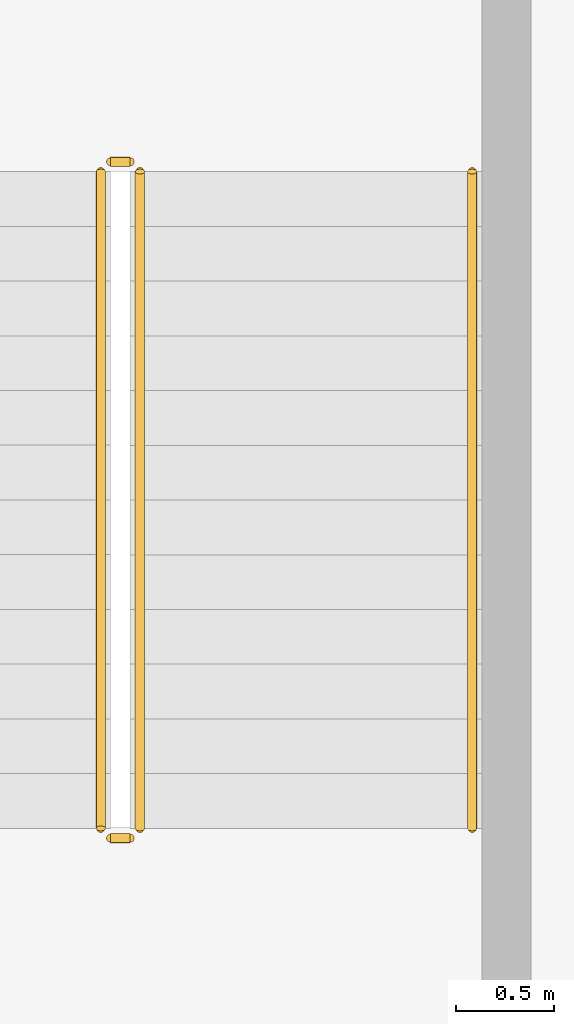
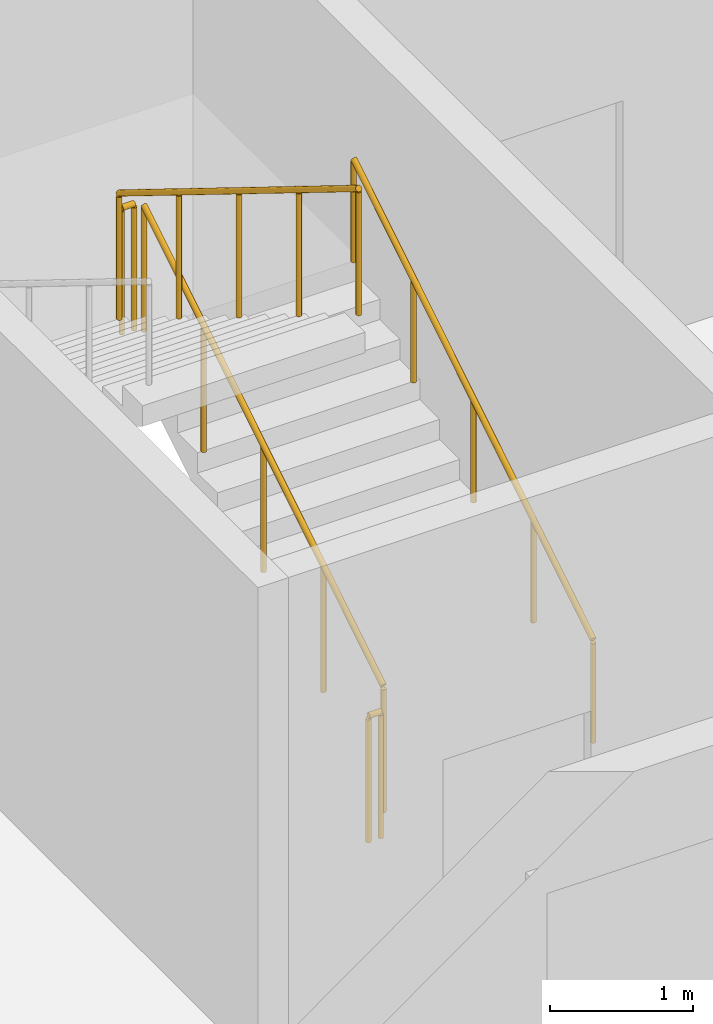
# One storey, part 36 of 38: 5 railings.
"""IFC4 building model written with IfcOpenShell, lengths in metres."""

from ifc_helpers import new_model, si_unit, direction, frame, origin, origin_2d, place, context, subcontext, project, spatial, circle, extrude, material, type_object, element, save


model = new_model("IFC4")

# Units and contexts
model_context = context("Model", 3, precision=1e-05, world=origin(), true_north=direction((0.0, 1.0)))
body_context = subcontext(model_context, "Body", "Model", "MODEL_VIEW")
ifc_project = project(units=[si_unit("LENGTHUNIT", "METRE"), si_unit("AREAUNIT", "SQUARE_METRE"), si_unit("VOLUMEUNIT", "CUBIC_METRE"), si_unit("PLANEANGLEUNIT", "RADIAN"), si_unit("MASSUNIT", "GRAM", prefix="KILO")], contexts=[model_context])

# Site, building, storey
site_placement = place(None, origin())
site = spatial("IfcSite", under=ifc_project, at=site_placement, CompositionType="ELEMENT")
building_placement = place(site_placement, origin())
building = spatial("IfcBuilding", under=site, at=building_placement, Name="Kilnfold Tower and Market Hall", CompositionType="ELEMENT")
storey_placement = place(building_placement, frame((0.0, 0.0, 9.0)))
storey = spatial("IfcBuildingStorey", under=building, at=storey_placement, Name="L01", CompositionType="ELEMENT", Elevation=9.0)

# Railings
ifc_material_1 = material(Name="Steel S355", Category="steel")
railing_type_1 = type_object("IfcRailingType", Name="HALL STAIR GUARD 1100", PredefinedType="GUARDRAIL", material=ifc_material_1)
railing_1_placement = place(storey_placement, frame((-48.550048828125, 46.699951171875, 0.173095703125)))
element("IfcRailing", 1, at=railing_1_placement, inside=storey, type_object=railing_type_1, Name="L01 MS3 stair guard 1", PredefinedType="GUARDRAIL", context=body_context, shape_type="SweptSolid", body=[
    extrude(circle(Radius=0.02392578125, at=origin_2d()), frame((0.0, 0.0, 1.076171875), z_axis=(0.0, 0.850623216509, 0.525775754039), x_axis=(-1.0, 0.0, 0.0)), (0.0, 0.0, 1.0), 3.9501953125),
    extrude(circle(Radius=0.02099609375, at=origin_2d()), origin(), (0.0, 0.0, 1.0), 1.052001953125),
    extrude(circle(Radius=0.02099609375, at=origin_2d()), frame((0.0, 0.840087890625, 0.519287109375)), (0.0, 0.0, 1.0), 1.052001953125),
    extrude(circle(Radius=0.02099609375, at=origin_2d()), frame((0.0, 1.68017578125, 1.03857421875)), (0.0, 0.0, 1.0), 1.052001953125),
    extrude(circle(Radius=0.02099609375, at=origin_2d()), frame((0.0, 2.52001953125, 1.5576171875)), (0.0, 0.0, 1.0), 1.052001953125),
    extrude(circle(Radius=0.02099609375, at=origin_2d()), frame((0.0, 3.360107421875, 2.076904296875)), (0.0, 0.0, 1.0), 1.052001953125),
])
railing_2_placement = place(storey_placement, frame((-48.60009765625, 50.110107421875, 2.25)))
element("IfcRailing", 2, at=railing_2_placement, inside=storey, type_object=railing_type_1, Name="L01 MS3 stair guard 2", PredefinedType="GUARDRAIL", context=body_context, shape_type="SweptSolid", body=[
    extrude(circle(Radius=0.02392578125, at=origin_2d()), frame((0.0, 0.0, 1.076171875), z_axis=(-1.0, 0.0, 0.0), x_axis=(0.0, -1.0, 0.0)), (0.0, 0.0, 1.0), 0.099853515625),
    extrude(circle(Radius=0.02099609375, at=origin_2d()), origin(), (0.0, 0.0, 1.0), 1.052001953125),
    extrude(circle(Radius=0.02099609375, at=origin_2d()), frame((-0.099853515625, 0.0, 0.0)), (0.0, 0.0, 1.0), 1.052001953125),
])
railing_3_placement = place(storey_placement, frame((-48.75, 50.06005859375, 2.423095703125)))
element("IfcRailing", 3, at=railing_3_placement, inside=storey, type_object=railing_type_1, Name="L01 MS3 stair guard 3", PredefinedType="GUARDRAIL", context=body_context, shape_type="SweptSolid", body=[
    extrude(circle(Radius=0.02392578125, at=origin_2d()), frame((0.0, 0.0, 1.076171875), z_axis=(0.0, -0.850623216509, 0.525775754039), x_axis=(1.0, 0.0, 0.0)), (0.0, 0.0, 1.0), 3.9501953125),
    extrude(circle(Radius=0.02099609375, at=origin_2d()), origin(), (0.0, 0.0, 1.0), 1.052001953125),
    extrude(circle(Radius=0.02099609375, at=origin_2d()), frame((0.0, -0.840087890625, 0.519287109375)), (0.0, 0.0, 1.0), 1.052001953125),
    extrude(circle(Radius=0.02099609375, at=origin_2d()), frame((0.0, -1.68017578125, 1.03857421875)), (0.0, 0.0, 1.0), 1.052001953125),
    extrude(circle(Radius=0.02099609375, at=origin_2d()), frame((0.0, -2.52001953125, 1.5576171875)), (0.0, 0.0, 1.0), 1.052001953125),
    extrude(circle(Radius=0.02099609375, at=origin_2d()), frame((0.0, -3.360107421875, 2.076904296875)), (0.0, 0.0, 1.0), 1.052001953125),
])
railing_4_placement = place(storey_placement, frame((-48.60009765625, 46.64990234375, 0.0)))
element("IfcRailing", 4, at=railing_4_placement, inside=storey, type_object=railing_type_1, Name="L01 MS3 stair guard 4", PredefinedType="GUARDRAIL", context=body_context, shape_type="SweptSolid", body=[
    extrude(circle(Radius=0.02392578125, at=origin_2d()), frame((0.0, 0.0, 1.076171875), z_axis=(-1.0, 0.0, 0.0), x_axis=(0.0, -1.0, 0.0)), (0.0, 0.0, 1.0), 0.099853515625),
    extrude(circle(Radius=0.02099609375, at=origin_2d()), origin(), (0.0, 0.0, 1.0), 1.052001953125),
    extrude(circle(Radius=0.02099609375, at=origin_2d()), frame((-0.099853515625, 0.0, 0.0)), (0.0, 0.0, 1.0), 1.052001953125),
])
ifc_material_2 = material(Name="Steel S355", Category="steel")
railing_type_2 = type_object("IfcRailingType", Name="HALL STAIR HANDRAIL", PredefinedType="HANDRAIL", material=ifc_material_2)
railing_5_placement = place(storey_placement, frame((-46.85009765625, 46.699951171875, 0.173095703125)))
element("IfcRailing", 5, at=railing_5_placement, inside=storey, type_object=railing_type_2, Name="L01 MS3 stair handrail 1", PredefinedType="HANDRAIL", context=body_context, shape_type="SweptSolid", body=[
    extrude(circle(Radius=0.02392578125, at=origin_2d()), frame((0.0, 0.0, 0.8759765625), z_axis=(0.0, 0.850623216509, 0.525775754039), x_axis=(-1.0, 0.0, 0.0)), (0.0, 0.0, 1.0), 3.9501953125),
    extrude(circle(Radius=0.02099609375, at=origin_2d()), origin(), (0.0, 0.0, 1.0), 0.851806640625),
    extrude(circle(Radius=0.02099609375, at=origin_2d()), frame((0.0, 0.840087890625, 0.519287109375)), (0.0, 0.0, 1.0), 0.851806640625),
    extrude(circle(Radius=0.02099609375, at=origin_2d()), frame((0.0, 1.68017578125, 1.03857421875)), (0.0, 0.0, 1.0), 0.851806640625),
    extrude(circle(Radius=0.02099609375, at=origin_2d()), frame((0.0, 2.52001953125, 1.5576171875)), (0.0, 0.0, 1.0), 0.851806640625),
    extrude(circle(Radius=0.02099609375, at=origin_2d()), frame((0.0, 3.360107421875, 2.076904296875)), (0.0, 0.0, 1.0), 0.851806640625),
])

save(model, "model.ifc")
